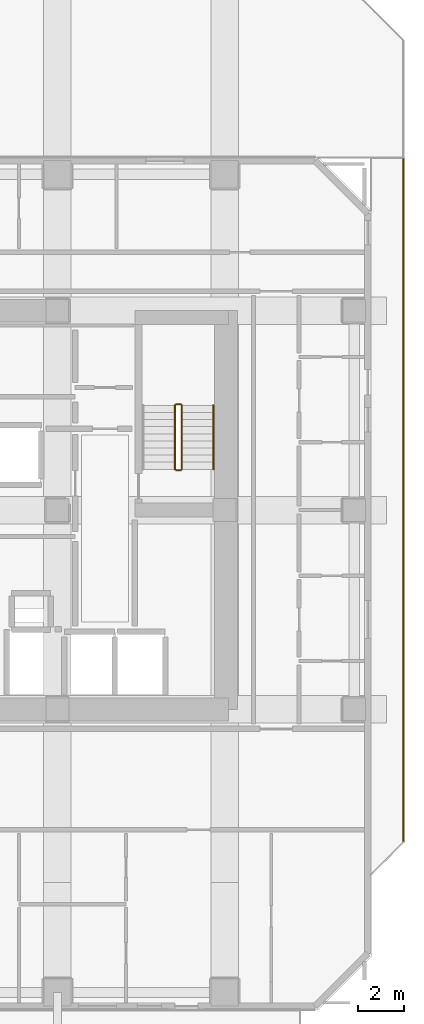
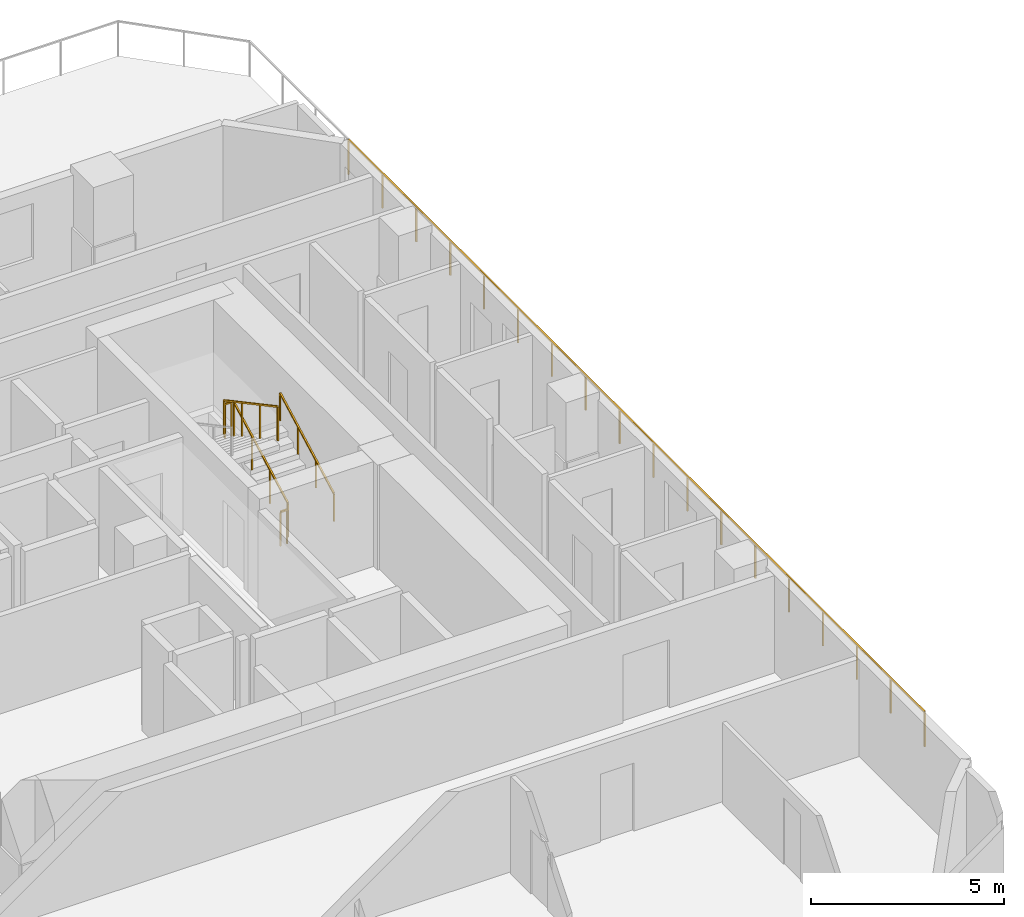
# One storey, part 10 of 11: 6 railings.
"""IFC4 building model written with IfcOpenShell, lengths in metres."""

from ifc_helpers import new_model, si_unit, direction, frame, origin, origin_2d, place, context, subcontext, project, spatial, rectangle, extrude, material, type_object, element, save


model = new_model("IFC4")

# Units and contexts
model_context = context("Model", 3, precision=1e-05, world=origin(), true_north=direction((0.0, 1.0)))
body_context = subcontext(model_context, "Body", "Model", "MODEL_VIEW")
ifc_project = project(units=[si_unit("LENGTHUNIT", "METRE"), si_unit("AREAUNIT", "SQUARE_METRE"), si_unit("VOLUMEUNIT", "CUBIC_METRE"), si_unit("PLANEANGLEUNIT", "RADIAN"), si_unit("MASSUNIT", "GRAM", prefix="KILO")], contexts=[model_context])

# Site, building, storey
site_placement = place(None, origin())
site = spatial("IfcSite", under=ifc_project, at=site_placement, CompositionType="ELEMENT")
building_placement = place(site_placement, origin())
building = spatial("IfcBuilding", under=site, at=building_placement, Name="Solanera Arch Residences", CompositionType="ELEMENT")
storey_placement = place(building_placement, frame((0.0, 0.0, 106.080078125)))
storey = spatial("IfcBuildingStorey", under=building, at=storey_placement, Name="L30", CompositionType="ELEMENT", Elevation=106.080078125)

# Railings
ifc_material_1 = material(Name="Steel S355 (ASTM A992 / A572 Grade 50)", Category="steel")
railing_type_1 = type_object("IfcRailingType", Name="Balustrade Railing BL-1100", PredefinedType="BALUSTRADE", material=ifc_material_1)
railing_1_placement = place(storey_placement, frame((44.300048828125, 16.199951171875, 0.0)))
element("IfcRailing", 1, at=railing_1_placement, inside=storey, type_object=railing_type_1, Name="L30 Sky Terrace Guardrail 1", PredefinedType="BALUSTRADE", context=body_context, shape_type="SweptSolid", body=[
    extrude(rectangle(XDim=0.048095703125, YDim=0.048095703125, at=origin_2d()), frame((0.0, 0.0, 1.09619140625), z_axis=(0.0, 1.0, 0.0), x_axis=(-1.0, 0.0, 0.0)), (0.0, 0.0, 1.0), 29.880126953125),
    extrude(rectangle(XDim=0.0419921875, YDim=0.0419921875, at=origin_2d()), origin(), (0.0, 0.0, 1.0), 1.072021484375),
    extrude(rectangle(XDim=0.0419921875, YDim=0.0419921875, at=origin_2d()), frame((0.0, 1.757568359375, 0.0)), (0.0, 0.0, 1.0), 1.072021484375),
    extrude(rectangle(XDim=0.0419921875, YDim=0.0419921875, at=origin_2d()), frame((0.0, 3.515380859375, 0.0)), (0.0, 0.0, 1.0), 1.072021484375),
    extrude(rectangle(XDim=0.0419921875, YDim=0.0419921875, at=origin_2d()), frame((0.0, 5.27294921875, 0.0)), (0.0, 0.0, 1.0), 1.072021484375),
    extrude(rectangle(XDim=0.0419921875, YDim=0.0419921875, at=origin_2d()), frame((0.0, 7.030517578125, 0.0)), (0.0, 0.0, 1.0), 1.072021484375),
    extrude(rectangle(XDim=0.0419921875, YDim=0.0419921875, at=origin_2d()), frame((0.0, 8.788330078125, 0.0)), (0.0, 0.0, 1.0), 1.072021484375),
    extrude(rectangle(XDim=0.0419921875, YDim=0.0419921875, at=origin_2d()), frame((0.0, 10.5458984375, 0.0)), (0.0, 0.0, 1.0), 1.072021484375),
    extrude(rectangle(XDim=0.0419921875, YDim=0.0419921875, at=origin_2d()), frame((0.0, 12.303466796875, 0.0)), (0.0, 0.0, 1.0), 1.072021484375),
    extrude(rectangle(XDim=0.0419921875, YDim=0.0419921875, at=origin_2d()), frame((0.0, 14.061279296875, 0.0)), (0.0, 0.0, 1.0), 1.072021484375),
    extrude(rectangle(XDim=0.0419921875, YDim=0.0419921875, at=origin_2d()), frame((0.0, 15.81884765625, 0.0)), (0.0, 0.0, 1.0), 1.072021484375),
    extrude(rectangle(XDim=0.0419921875, YDim=0.0419921875, at=origin_2d()), frame((0.0, 17.57666015625, 0.0)), (0.0, 0.0, 1.0), 1.072021484375),
    extrude(rectangle(XDim=0.0419921875, YDim=0.0419921875, at=origin_2d()), frame((0.0, 19.334228515625, 0.0)), (0.0, 0.0, 1.0), 1.072021484375),
    extrude(rectangle(XDim=0.0419921875, YDim=0.0419921875, at=origin_2d()), frame((0.0, 21.091796875, 0.0)), (0.0, 0.0, 1.0), 1.072021484375),
    extrude(rectangle(XDim=0.0419921875, YDim=0.0419921875, at=origin_2d()), frame((0.0, 22.849609375, 0.0)), (0.0, 0.0, 1.0), 1.072021484375),
    extrude(rectangle(XDim=0.0419921875, YDim=0.0419921875, at=origin_2d()), frame((0.0, 24.607177734375, 0.0)), (0.0, 0.0, 1.0), 1.072021484375),
    extrude(rectangle(XDim=0.0419921875, YDim=0.0419921875, at=origin_2d()), frame((0.0, 26.36474609375, 0.0)), (0.0, 0.0, 1.0), 1.072021484375),
    extrude(rectangle(XDim=0.0419921875, YDim=0.0419921875, at=origin_2d()), frame((0.0, 28.12255859375, 0.0)), (0.0, 0.0, 1.0), 1.072021484375),
    extrude(rectangle(XDim=0.0419921875, YDim=0.0419921875, at=origin_2d()), frame((0.0, 29.880126953125, 0.0)), (0.0, 0.0, 1.0), 1.072021484375),
])
ifc_material_2 = material(Name="Steel S355 (ASTM A992 / A572 Grade 50)", Category="steel")
railing_type_2 = type_object("IfcRailingType", Name="Stair Guardrail GR-1100", PredefinedType="GUARDRAIL", material=ifc_material_2)
railing_2_placement = place(storey_placement, frame((34.6298828125, 32.47998046875, 0.15087890625)))
element("IfcRailing", 2, at=railing_2_placement, inside=storey, type_object=railing_type_2, Name="L30 ST-T2 stair guard 1", PredefinedType="GUARDRAIL", context=body_context, shape_type="SweptSolid", body=[
    extrude(rectangle(XDim=0.048095703125, YDim=0.048095703125, at=origin_2d()), frame((0.0, 0.0, 1.076171875), z_axis=(0.0, 0.881548766853, 0.472092969298), x_axis=(-1.0, 0.0, 0.0)), (0.0, 0.0, 1.0), 3.1650390625),
    extrude(rectangle(XDim=0.0419921875, YDim=0.0419921875, at=origin_2d()), origin(), (0.0, 0.0, 1.0), 1.052001953125),
    extrude(rectangle(XDim=0.0419921875, YDim=0.0419921875, at=origin_2d()), frame((0.0, 0.929931640625, 0.498046875)), (0.0, 0.0, 1.0), 1.052001953125),
    extrude(rectangle(XDim=0.0419921875, YDim=0.0419921875, at=origin_2d()), frame((0.0, 1.860107421875, 0.99609375)), (0.0, 0.0, 1.0), 1.052001953125),
    extrude(rectangle(XDim=0.0419921875, YDim=0.0419921875, at=origin_2d()), frame((0.0, 2.7900390625, 1.494140625)), (0.0, 0.0, 1.0), 1.052001953125),
])
railing_3_placement = place(storey_placement, frame((34.580078125, 35.320068359375, 1.64501953125)))
element("IfcRailing", 3, at=railing_3_placement, inside=storey, type_object=railing_type_2, Name="L30 ST-T2 stair guard 2", PredefinedType="GUARDRAIL", context=body_context, shape_type="SweptSolid", body=[
    extrude(rectangle(XDim=0.048095703125, YDim=0.048095703125, at=origin_2d()), frame((0.0, 0.0, 1.076171875), z_axis=(-1.0, 0.0, 0.0), x_axis=(0.0, -1.0, 0.0)), (0.0, 0.0, 1.0), 0.2001953125),
    extrude(rectangle(XDim=0.0419921875, YDim=0.0419921875, at=origin_2d()), origin(), (0.0, 0.0, 1.0), 1.052001953125),
    extrude(rectangle(XDim=0.0419921875, YDim=0.0419921875, at=origin_2d()), frame((-0.2001953125, 0.0, 0.0)), (0.0, 0.0, 1.0), 1.052001953125),
])
railing_4_placement = place(storey_placement, frame((34.330078125, 35.27001953125, 1.81103515625)))
element("IfcRailing", 4, at=railing_4_placement, inside=storey, type_object=railing_type_2, Name="L30 ST-T2 stair guard 3", PredefinedType="GUARDRAIL", context=body_context, shape_type="SweptSolid", body=[
    extrude(rectangle(XDim=0.048095703125, YDim=0.048095703125, at=origin_2d()), frame((0.0, 0.0, 1.076171875), z_axis=(0.0, -0.881580869306, 0.472033018838), x_axis=(1.0, 0.0, 0.0)), (0.0, 0.0, 1.0), 3.164794921875),
    extrude(rectangle(XDim=0.0419921875, YDim=0.0419921875, at=origin_2d()), origin(), (0.0, 0.0, 1.0), 1.052001953125),
    extrude(rectangle(XDim=0.0419921875, YDim=0.0419921875, at=origin_2d()), frame((0.0, -0.929931640625, 0.498046875)), (0.0, 0.0, 1.0), 1.052001953125),
    extrude(rectangle(XDim=0.0419921875, YDim=0.0419921875, at=origin_2d()), frame((0.0, -1.860107421875, 0.995849609375)), (0.0, 0.0, 1.0), 1.052001953125),
    extrude(rectangle(XDim=0.0419921875, YDim=0.0419921875, at=origin_2d()), frame((0.0, -2.7900390625, 1.493896484375)), (0.0, 0.0, 1.0), 1.052001953125),
])
railing_5_placement = place(storey_placement, frame((34.580078125, 32.429931640625, -0.01513671875)))
element("IfcRailing", 5, at=railing_5_placement, inside=storey, type_object=railing_type_2, Name="L30 ST-T2 stair guard 4", PredefinedType="GUARDRAIL", context=body_context, shape_type="SweptSolid", body=[
    extrude(rectangle(XDim=0.048095703125, YDim=0.048095703125, at=origin_2d()), frame((0.0, 0.0, 1.076171875), z_axis=(-1.0, 0.0, 0.0), x_axis=(0.0, -1.0, 0.0)), (0.0, 0.0, 1.0), 0.2001953125),
    extrude(rectangle(XDim=0.0419921875, YDim=0.0419921875, at=origin_2d()), origin(), (0.0, 0.0, 1.0), 1.052001953125),
    extrude(rectangle(XDim=0.0419921875, YDim=0.0419921875, at=origin_2d()), frame((-0.2001953125, 0.0, 0.0)), (0.0, 0.0, 1.0), 1.052001953125),
])
ifc_material_3 = material(Name="Steel S355 (ASTM A992 / A572 Grade 50)", Category="steel")
railing_type_3 = type_object("IfcRailingType", Name="Stair Wall Handrail HR-920", PredefinedType="HANDRAIL", material=ifc_material_3)
railing_6_placement = place(storey_placement, frame((36.010009765625, 32.47998046875, 0.166015625)))
element("IfcRailing", 6, at=railing_6_placement, inside=storey, type_object=railing_type_3, Name="L30 ST-T2 stair handrail 1", PredefinedType="HANDRAIL", context=body_context, shape_type="SweptSolid", body=[
    extrude(rectangle(XDim=0.048095703125, YDim=0.048095703125, at=origin_2d()), frame((0.0, 0.0, 0.8759765625), z_axis=(0.0, 0.881580869306, 0.472033018838), x_axis=(-1.0, 0.0, 0.0)), (0.0, 0.0, 1.0), 3.164794921875),
    extrude(rectangle(XDim=0.0419921875, YDim=0.0419921875, at=origin_2d()), origin(), (0.0, 0.0, 1.0), 0.851806640625),
    extrude(rectangle(XDim=0.0419921875, YDim=0.0419921875, at=origin_2d()), frame((0.0, 0.929931640625, 0.498046875)), (0.0, 0.0, 1.0), 0.851806640625),
    extrude(rectangle(XDim=0.0419921875, YDim=0.0419921875, at=origin_2d()), frame((0.0, 1.860107421875, 0.995849609375)), (0.0, 0.0, 1.0), 0.851806640625),
    extrude(rectangle(XDim=0.0419921875, YDim=0.0419921875, at=origin_2d()), frame((0.0, 2.7900390625, 1.493896484375)), (0.0, 0.0, 1.0), 0.851806640625),
])

save(model, "model.ifc")
